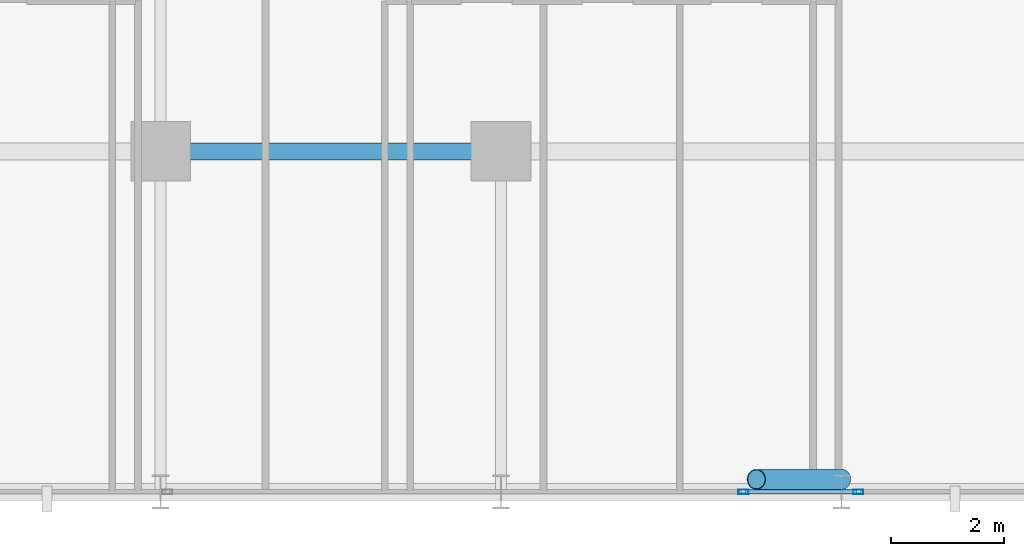
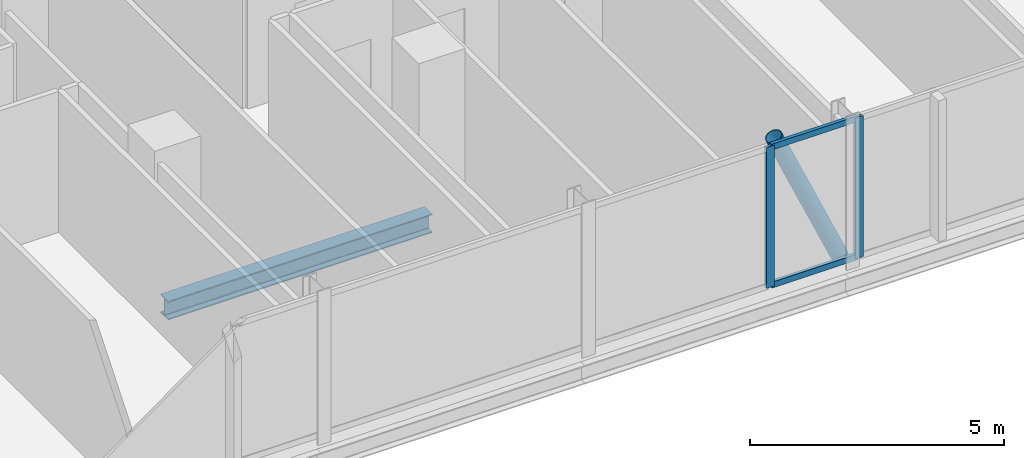
# One storey, part 8 of 29: 5 members, 1 beam, 2 elements without a shape of their own.
"""IFC4 building model written with IfcOpenShell, lengths in metres."""

from ifc_helpers import new_model, si_unit, direction, frame, origin, origin_2d, place, context, subcontext, project, spatial, hollow_rectangle, hollow_circle, i_section, extrude, material, layer, layer_set, material_profile, profile_set, type_object, element, aggregate, save


model = new_model("IFC4")

# Units and contexts
model_context = context("Model", 3, precision=1e-05, world=origin(), true_north=direction((0.0, 1.0)))
body_context = subcontext(model_context, "Body", "Model", "MODEL_VIEW")
ifc_project = project(units=[si_unit("LENGTHUNIT", "METRE"), si_unit("AREAUNIT", "SQUARE_METRE"), si_unit("VOLUMEUNIT", "CUBIC_METRE"), si_unit("PLANEANGLEUNIT", "RADIAN"), si_unit("MASSUNIT", "GRAM", prefix="KILO")], contexts=[model_context])

# Site, building, storey
site_placement = place(None, origin())
site = spatial("IfcSite", under=ifc_project, at=site_placement, CompositionType="ELEMENT")
building_placement = place(site_placement, origin())
building = spatial("IfcBuilding", under=site, at=building_placement, Name="Keshet Zoharim Tower", CompositionType="ELEMENT")
storey_placement = place(building_placement, frame((0.0, 0.0, 94.60009765625)))
storey = spatial("IfcBuildingStorey", under=building, at=storey_placement, Name="L22", CompositionType="ELEMENT", Elevation=94.60009765625)

# Beam
ifc_material_1 = material(Name="Steel S355", Category="steel")
ifc_material_profile_1 = material_profile(ifc_material_1, i_section(OverallWidth=0.300048828125, OverallDepth=0.449951171875, WebThickness=0.013916015625, FlangeThickness=0.02587890625, FilletRadius=0.027099609375, at=origin_2d()), Name="HEB450")
ifc_profile_set_1 = profile_set([ifc_material_profile_1], Name="Steel S355")
beam_type = type_object("IfcBeamType", Name="BM-WEB-HB450", PredefinedType="BEAM", material=ifc_profile_set_1)
beam_placement = place(storey_placement, frame((33.0, 6.699951171875, -0.5400390625), z_axis=(1.0, 0.0, 0.0), x_axis=(0.0, 1.0, 0.0)))
element("IfcBeam", 1, at=beam_placement, inside=storey, type_object=beam_type, Name="L22 Primary Girder X-007", PredefinedType="BEAM", context=body_context, shape_type="SweptSolid", body=[
    extrude(i_section(OverallWidth=0.300048828125, OverallDepth=0.449951171875, WebThickness=0.013916015625, FlangeThickness=0.02587890625, FilletRadius=0.027099609375, at=origin_2d()), origin(), (0.0, 0.0, 1.0), 6.0),
])

# Curtain wall, member
ifc_material_2 = material(Name="Aluminium 6063-T6", Category="aluminium")
ifc_layer = layer(ifc_material_2, 0.159912109375)
ifc_layer_set = layer_set([ifc_layer], Name="Aluminium 6063-T6")
curtain_wall_type = type_object("IfcCurtainWallType", Name="CW-SYS-03", PredefinedType="NOTDEFINED", material=ifc_layer_set)
curtain_wall_1_placement = place(storey_placement, origin())
curtain_wall_1 = element("IfcCurtainWall", 2, at=curtain_wall_1_placement, inside=storey, type_object=curtain_wall_type, Name="L22 Unitised Curtain Wall 03", PredefinedType="NOTDEFINED")
ifc_material_profile_2 = material_profile(ifc_material_2, hollow_rectangle(XDim=0.080078125, YDim=0.179931640625, WallThickness=0.00439453125, at=origin_2d()), Name="MUL-80x180")
ifc_profile_set_2 = profile_set([ifc_material_profile_2], Name="Aluminium 6063-T6")
member_type_1 = type_object("IfcMemberType", Name="CWM-M18", PredefinedType="MULLION", material=ifc_profile_set_2)
member_1_placement = place(storey_placement, frame((45.297607421875, 0.699951171875, 0.0), z_axis=(0.0, 0.0, 1.0), x_axis=(0.0, -1.0, 0.0)))
member_1 = element("IfcMember", 3, at=member_1_placement, type_object=member_type_1, Name="CW-03 mullion 2", PredefinedType="MULLION", context=body_context, shape_type="SweptSolid", body=[
    extrude(hollow_rectangle(XDim=0.080078125, YDim=0.179931640625, WallThickness=0.00439453125, at=origin_2d()), origin(), (0.0, 0.0, 1.0), 3.385009765625),
])
aggregate(curtain_wall_1, [member_1])

# Curtain wall, members
curtain_wall_2_placement = place(storey_placement, origin())
curtain_wall_2 = element("IfcCurtainWall", 4, at=curtain_wall_2_placement, inside=storey, type_object=curtain_wall_type, Name="L22 Unitised Curtain Wall 03 Part 2", PredefinedType="NOTDEFINED")
member_2_placement = place(storey_placement, frame((43.2724609375, 0.699951171875, 0.0), z_axis=(0.0, 0.0, 1.0), x_axis=(0.0, -1.0, 0.0)))
member_2 = element("IfcMember", 5, at=member_2_placement, type_object=member_type_1, Name="CW-03 mullion 2", PredefinedType="MULLION", context=body_context, shape_type="SweptSolid", body=[
    extrude(hollow_rectangle(XDim=0.080078125, YDim=0.179931640625, WallThickness=0.00439453125, at=origin_2d()), origin(), (0.0, 0.0, 1.0), 3.385009765625),
])
ifc_material_profile_3 = material_profile(ifc_material_2, hollow_rectangle(XDim=0.080078125, YDim=0.139892578125, WallThickness=0.00390625, at=origin_2d()), Name="TRN-80x140")
ifc_profile_set_3 = profile_set([ifc_material_profile_3], Name="Aluminium 6063-T6")
member_type_2 = type_object("IfcMemberType", Name="CWT-T14", PredefinedType="USERDEFINED", material=ifc_profile_set_3)
member_3_placement = place(storey_placement, frame((45.2626953125, 0.699951171875, 0.034912109375), z_axis=(-1.0, 0.0, 0.0), x_axis=(0.0, -1.0, 0.0)))
member_3 = element("IfcMember", 6, at=member_3_placement, type_object=member_type_2, Name="CW-03 transom 1.1", ObjectType="TRANSOM", PredefinedType="USERDEFINED", context=body_context, shape_type="SweptSolid", body=[
    extrude(hollow_rectangle(XDim=0.080078125, YDim=0.139892578125, WallThickness=0.00390625, at=origin_2d()), origin(), (0.0, 0.0, 1.0), 1.955322265625),
])
member_4_placement = place(storey_placement, frame((45.2626953125, 0.699951171875, 3.349853515625), z_axis=(-1.0, 0.0, 0.0), x_axis=(0.0, -1.0, 0.0)))
member_4 = element("IfcMember", 7, at=member_4_placement, type_object=member_type_2, Name="CW-03 transom 1.2", ObjectType="TRANSOM", PredefinedType="USERDEFINED", context=body_context, shape_type="SweptSolid", body=[
    extrude(hollow_rectangle(XDim=0.080078125, YDim=0.139892578125, WallThickness=0.00390625, at=origin_2d()), origin(), (0.0, 0.0, 1.0), 1.955322265625),
])
aggregate(curtain_wall_2, [member_2, member_3, member_4])

# Member
ifc_material_profile_4 = material_profile(ifc_material_1, hollow_circle(Radius=0.177734375, WallThickness=0.012451171875, at=origin_2d()), Name="CHS355x12.5")
ifc_profile_set_4 = profile_set([ifc_material_profile_4], Name="Steel S355")
member_type_3 = type_object("IfcMemberType", Name="MB-BR-C355", PredefinedType="BRACE", material=ifc_profile_set_4)
member_5_placement = place(storey_placement, frame((45.0, 0.919921875, 0.0), z_axis=(-0.405134846829, 0.0, 0.91425694194), x_axis=(0.0, -1.0, 0.0)))
element("IfcMember", 8, at=member_5_placement, inside=storey, type_object=member_type_3, Name="L22 Perimeter Tube Brace 04", PredefinedType="BRACE", context=body_context, shape_type="SweptSolid", body=[
    extrude(hollow_circle(Radius=0.177734375, WallThickness=0.012451171875, at=origin_2d()), origin(), (0.0, 0.0, 1.0), 3.702392578125),
])

save(model, "model.ifc")
